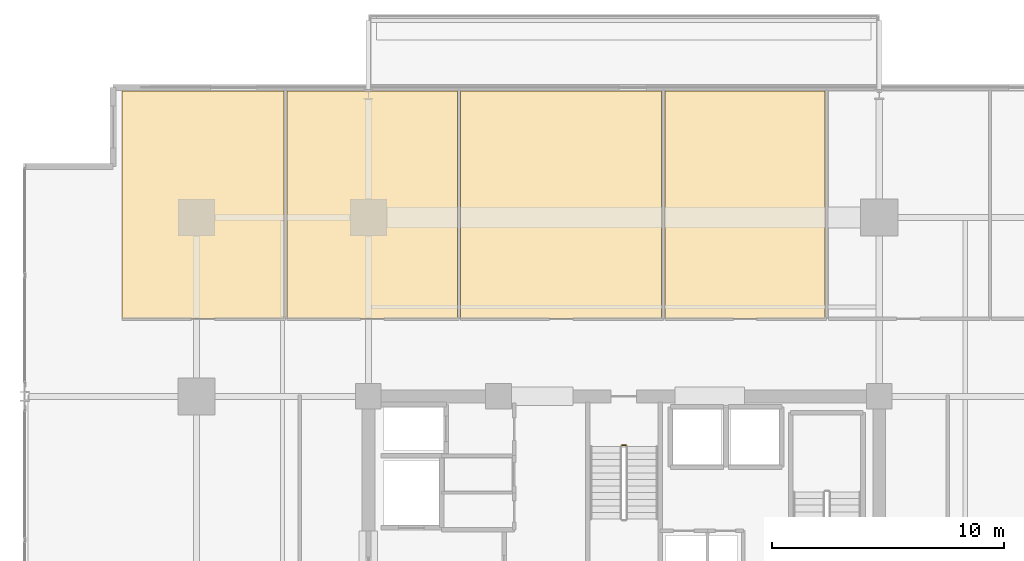
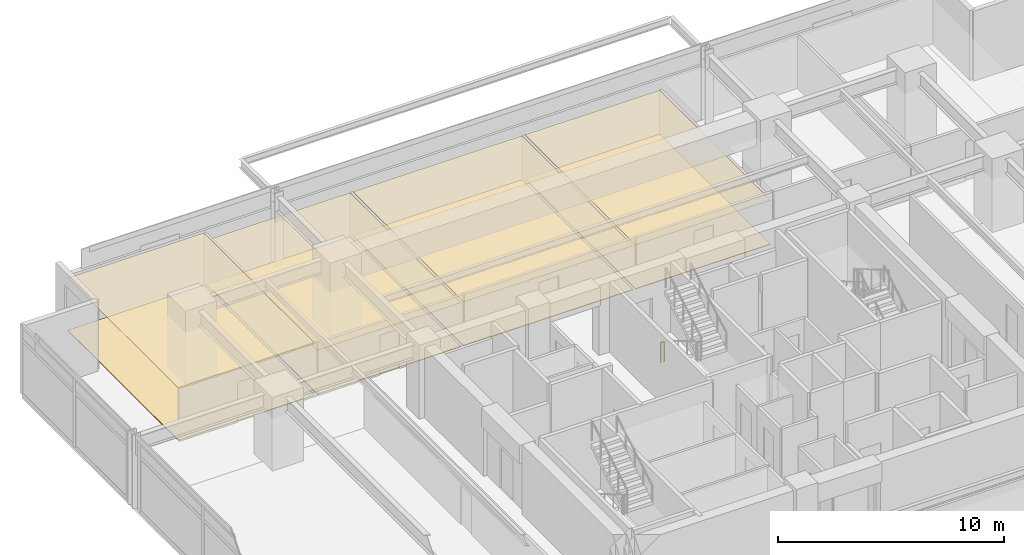
# One storey, part 22 of 23: 8 coverings, 1 railing.
"""IFC4 building model written with IfcOpenShell, lengths in metres."""

from ifc_helpers import new_model, si_unit, direction, frame, origin, origin_2d, place, context, subcontext, project, spatial, polyline, circle, outline, extrude, material, layer, layer_set, type_object, element, save


model = new_model("IFC4")

# Units and contexts
model_context = context("Model", 3, precision=1e-05, world=origin(), true_north=direction((0.0, 1.0)))
body_context = subcontext(model_context, "Body", "Model", "MODEL_VIEW")
ifc_project = project(units=[si_unit("LENGTHUNIT", "METRE"), si_unit("AREAUNIT", "SQUARE_METRE"), si_unit("VOLUMEUNIT", "CUBIC_METRE"), si_unit("PLANEANGLEUNIT", "RADIAN"), si_unit("MASSUNIT", "GRAM", prefix="KILO")], contexts=[model_context])

# Site, building, storey
site_placement = place(None, origin())
site = spatial("IfcSite", under=ifc_project, at=site_placement, CompositionType="ELEMENT")
building_placement = place(site_placement, origin())
building = spatial("IfcBuilding", under=site, at=building_placement, Name="Kovane Verandah Tower", CompositionType="ELEMENT")
storey_placement = place(building_placement, frame((0.0, 0.0, 148.39990234375)))
storey = spatial("IfcBuildingStorey", under=building, at=storey_placement, Name="L34", CompositionType="ELEMENT", Elevation=148.39990234375)

# Coverings
ifc_material_1 = material(Name="Perforated Acoustic Mineral-Fibre Ceiling Tile", Category="gypsum")
ifc_layer_1 = layer(ifc_material_1, 0.02490234375)
ifc_layer_set_1 = layer_set([ifc_layer_1], Name="Perforated Acoustic Mineral-Fibre Ceiling Tile")
covering_type_1 = type_object("IfcCoveringType", Name="CV-CEIL-25", PredefinedType="CEILING", material=ifc_layer_set_1)
covering_1_placement = place(storey_placement, frame((0.0, 0.0, 2.8251953125)))
element("IfcCovering", 1, at=covering_1_placement, inside=storey, type_object=covering_type_1, Name="L34 Meeting Room N1 Acoustic Ceiling", PredefinedType="CEILING", context=body_context, shape_type="SweptSolid", body=[
    extrude(outline(polyline([(18.394775390625, 39.85009765625), (25.35986328125, 39.85009765625), (25.35986328125, 49.653564453125), (18.394775390625, 49.653564453125), (18.394775390625, 39.85009765625)])), origin(), (0.0, 0.0, 1.0), 0.02490234375),
])
covering_2_placement = place(storey_placement, frame((0.0, 0.0, 2.380126953125)))
element("IfcCovering", 2, at=covering_2_placement, inside=storey, type_object=covering_type_1, Name="L34 Focus Studio N2 Acoustic Ceiling", PredefinedType="CEILING", context=body_context, shape_type="SweptSolid", body=[
    extrude(outline(polyline([(25.499755859375, 39.85009765625), (32.83447265625, 39.85009765625), (32.83447265625, 49.653564453125), (25.499755859375, 49.653564453125), (25.499755859375, 39.85009765625)])), origin(), (0.0, 0.0, 1.0), 0.02490234375),
])
covering_3_placement = place(storey_placement, frame((0.0, 0.0, 2.380126953125)))
element("IfcCovering", 3, at=covering_3_placement, inside=storey, type_object=covering_type_1, Name="L34 Breakout Pantry N3 Acoustic Ceiling", PredefinedType="CEILING", context=body_context, shape_type="SweptSolid", body=[
    extrude(outline(polyline([(32.974609375, 39.85009765625), (41.628173828125, 39.85009765625), (41.628173828125, 49.653564453125), (32.974609375, 49.653564453125), (32.974609375, 39.85009765625)])), origin(), (0.0, 0.0, 1.0), 0.02490234375),
])
covering_4_placement = place(storey_placement, frame((0.0, 0.0, 2.380126953125)))
element("IfcCovering", 4, at=covering_4_placement, inside=storey, type_object=covering_type_1, Name="L34 Collaboration Hub N4 Acoustic Ceiling", PredefinedType="CEILING", context=body_context, shape_type="SweptSolid", body=[
    extrude(outline(polyline([(41.768310546875, 39.85009765625), (48.6630859375, 39.85009765625), (48.6630859375, 49.653564453125), (41.768310546875, 49.653564453125), (41.768310546875, 39.85009765625)])), origin(), (0.0, 0.0, 1.0), 0.02490234375),
])
ifc_material_2 = material(Name="Polished Terrazzo and Raised-Access Carpet Tile Finish", Category="concrete")
ifc_layer_2 = layer(ifc_material_2, 0.030029296875)
ifc_layer_set_2 = layer_set([ifc_layer_2], Name="Polished Terrazzo and Raised-Access Carpet Tile Finish")
covering_type_2 = type_object("IfcCoveringType", Name="CV-FLOR-30", PredefinedType="FLOORING", material=ifc_layer_set_2)
covering_5_placement = place(storey_placement, origin())
element("IfcCovering", 5, at=covering_5_placement, inside=storey, type_object=covering_type_2, Name="L34 Meeting Room N1 Floor Finish", PredefinedType="FLOORING", context=body_context, shape_type="SweptSolid", body=[
    extrude(outline(polyline([(18.394775390625, 39.85009765625), (25.35986328125, 39.85009765625), (25.35986328125, 49.653564453125), (18.394775390625, 49.653564453125), (18.394775390625, 39.85009765625)])), origin(), (0.0, 0.0, 1.0), 0.030029296875),
])
covering_6_placement = place(storey_placement, origin())
element("IfcCovering", 6, at=covering_6_placement, inside=storey, type_object=covering_type_2, Name="L34 Focus Studio N2 Floor Finish", PredefinedType="FLOORING", context=body_context, shape_type="SweptSolid", body=[
    extrude(outline(polyline([(25.499755859375, 39.85009765625), (32.83447265625, 39.85009765625), (32.83447265625, 49.653564453125), (25.499755859375, 49.653564453125), (25.499755859375, 39.85009765625)])), origin(), (0.0, 0.0, 1.0), 0.030029296875),
])
covering_7_placement = place(storey_placement, origin())
element("IfcCovering", 7, at=covering_7_placement, inside=storey, type_object=covering_type_2, Name="L34 Breakout Pantry N3 Floor Finish", PredefinedType="FLOORING", context=body_context, shape_type="SweptSolid", body=[
    extrude(outline(polyline([(32.974609375, 39.85009765625), (41.628173828125, 39.85009765625), (41.628173828125, 49.653564453125), (32.974609375, 49.653564453125), (32.974609375, 39.85009765625)])), origin(), (0.0, 0.0, 1.0), 0.030029296875),
])
covering_8_placement = place(storey_placement, origin())
element("IfcCovering", 8, at=covering_8_placement, inside=storey, type_object=covering_type_2, Name="L34 Collaboration Hub N4 Floor Finish", PredefinedType="FLOORING", context=body_context, shape_type="SweptSolid", body=[
    extrude(outline(polyline([(41.768310546875, 39.85009765625), (48.6630859375, 39.85009765625), (48.6630859375, 49.653564453125), (41.768310546875, 49.653564453125), (41.768310546875, 39.85009765625)])), origin(), (0.0, 0.0, 1.0), 0.030029296875),
])

# Railing
ifc_material_3 = material(Name="Painted Steel Stairwell Guardrail", Category="steel")
railing_type = type_object("IfcRailingType", Name="RL-STGUARD-1120", PredefinedType="GUARDRAIL", material=ifc_material_3)
railing_placement = place(storey_placement, frame((39.919921875, 34.39990234375, 0.0)))
element("IfcRailing", 9, at=railing_placement, inside=storey, type_object=railing_type, Name="L34 ST-03 stair guard 4", PredefinedType="GUARDRAIL", context=body_context, shape_type="SweptSolid", body=[
    extrude(circle(Radius=0.02392578125, at=origin_2d()), frame((0.0, 0.0, 1.076171875), z_axis=(1.0, 0.0, 0.0), x_axis=(0.0, 1.0, 0.0)), (0.0, 0.0, 1.0), 0.16015625),
    extrude(circle(Radius=0.02099609375, at=origin_2d()), origin(), (0.0, 0.0, 1.0), 1.052001953125),
    extrude(circle(Radius=0.02099609375, at=origin_2d()), frame((0.16015625, 0.0, 0.0)), (0.0, 0.0, 1.0), 1.052001953125),
])

save(model, "model.ifc")
